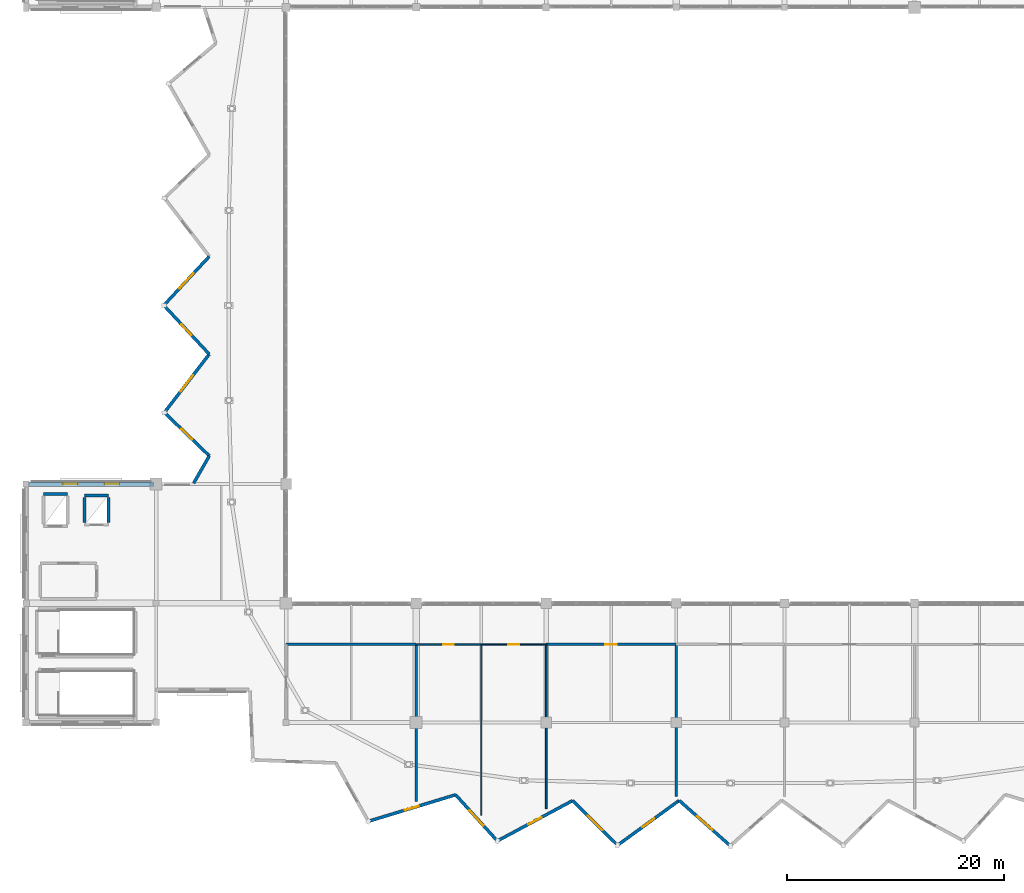
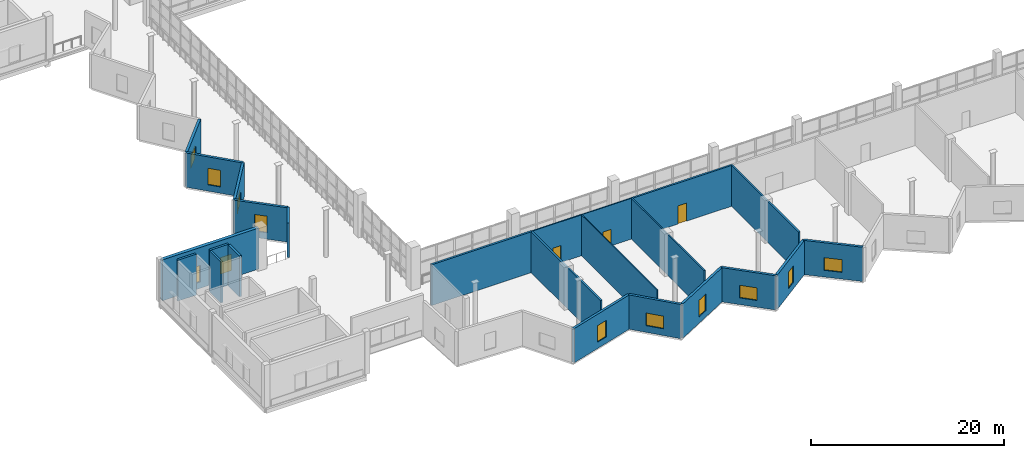
# One storey, part 37 of 49: 24 walls, 12 windows, 3 doors, 15 openings.
"""IFC4 building model written with IfcOpenShell, lengths in metres."""

from ifc_helpers import new_model, si_unit, direction, frame, frame_2d, origin, place, context, subcontext, project, spatial, rectangle, extrude, material, layer, layer_set, type_object, element, fill, save


model = new_model("IFC4")

# Units and contexts
model_context = context("Model", 3, precision=1e-05, world=origin(), true_north=direction((0.0, 1.0)))
body_context = subcontext(model_context, "Body", "Model", "MODEL_VIEW")
ifc_project = project(units=[si_unit("LENGTHUNIT", "METRE"), si_unit("AREAUNIT", "SQUARE_METRE"), si_unit("VOLUMEUNIT", "CUBIC_METRE"), si_unit("PLANEANGLEUNIT", "RADIAN"), si_unit("MASSUNIT", "GRAM", prefix="KILO")], contexts=[model_context])

# Site, building, storey
site_placement = place(None, origin())
site = spatial("IfcSite", under=ifc_project, at=site_placement, CompositionType="ELEMENT")
building_placement = place(site_placement, origin())
building = spatial("IfcBuilding", under=site, at=building_placement, Name="Luwafu Chhajja Arena", CompositionType="ELEMENT")
storey_placement = place(building_placement, frame((0.0, 0.0, 24.300048828125)))
storey = spatial("IfcBuildingStorey", under=building, at=storey_placement, Name="L05", CompositionType="ELEMENT", Elevation=24.300048828125)

# Walls
ifc_material_1 = material(Name="Acoustic gypsum and mineral wool partition")
ifc_layer_1 = layer(ifc_material_1, 0.199951171875, Name="Acoustic gypsum and mineral wool partition")
ifc_layer_set_1 = layer_set([ifc_layer_1], Name="Acoustic gypsum and mineral wool partition")
wall_type_1 = type_object("IfcWallType", Name="Acoustic Broadcast Studio Partition 200", PredefinedType="PARTITIONING", material=ifc_layer_set_1)
wall_1_placement = place(storey_placement, frame((94.0, 4.1845703125, 0.0), z_axis=(0.0, 0.0, 1.0), x_axis=(0.0, 1.0, 0.0)))
element("IfcWall", 1, at=wall_1_placement, inside=storey, type_object=wall_type_1, Name="L05 Internal Partition 0360", PredefinedType="PARTITIONING", context=body_context, shape_type="SweptSolid", body=[
    extrude(rectangle(XDim=14.015380859375, YDim=0.199951171875, at=frame_2d((7.0078125, 0.0))), origin(), (0.0, 0.0, 1.0), 5.179931640625),
])
ifc_material_2 = material(Name="Moisture-resistant masonry blockwork", Category="masonry")
ifc_layer_2 = layer(ifc_material_2, 0.159912109375, Name="Moisture-resistant masonry blockwork")
ifc_layer_set_2 = layer_set([ifc_layer_2], Name="Moisture-resistant masonry blockwork")
wall_type_2 = type_object("IfcWallType", Name="Athlete Wet-Area Partition 160", PredefinedType="PARTITIONING", material=ifc_layer_set_2)
wall_2_placement = place(storey_placement, frame((82.0, 3.015625, 0.0), z_axis=(0.0, 0.0, 1.0), x_axis=(0.0, 1.0, 0.0)))
element("IfcWall", 2, at=wall_2_placement, inside=storey, type_object=wall_type_2, Name="L05 Internal Partition 0359", PredefinedType="PARTITIONING", context=body_context, shape_type="SweptSolid", body=[
    extrude(rectangle(XDim=15.184326171875, YDim=0.159912109375, at=frame_2d((7.59228515625, 0.0))), origin(), (0.0, 0.0, 1.0), 5.179931640625),
])
ifc_material_3 = material(Name="Concrete blockwork masonry", Category="masonry")
ifc_layer_3 = layer(ifc_material_3, 0.239990234375, Name="Concrete blockwork masonry")
ifc_layer_set_3 = layer_set([ifc_layer_3], Name="Concrete blockwork masonry")
wall_type_3 = type_object("IfcWallType", Name="Compartment Masonry Partition 240", PredefinedType="PARTITIONING", material=ifc_layer_set_3)
wall_3_placement = place(storey_placement, frame((58.0, 18.199951171875, 0.0), z_axis=(0.0, 0.0, 1.0), x_axis=(1.0, 0.0, 0.0)))
element("IfcWall", 3, at=wall_3_placement, inside=storey, type_object=wall_type_3, Name="L05 Internal Partition 0342", PredefinedType="PARTITIONING", context=body_context, shape_type="SweptSolid", body=[
    extrude(rectangle(XDim=12.0, YDim=0.239990234375, at=frame_2d((6.0, 0.0))), origin(), (0.0, 0.0, 1.0), 5.179931640625),
])

# Wall, opening, door
ifc_material_4 = material(Name="Lightweight blockwork partition", Category="masonry")
ifc_layer_4 = layer(ifc_material_4, 0.139892578125, Name="Lightweight blockwork partition")
ifc_layer_set_4 = layer_set([ifc_layer_4], Name="Lightweight blockwork partition")
wall_type_4 = type_object("IfcWallType", Name="Concourse Kiosk Partition 140", PredefinedType="PARTITIONING", material=ifc_layer_set_4)
wall_4_placement = place(storey_placement, frame((70.0, 18.199951171875, 0.0), z_axis=(0.0, 0.0, 1.0), x_axis=(1.0, 0.0, 0.0)))
wall_4 = element("IfcWall", 4, at=wall_4_placement, inside=storey, type_object=wall_type_4, Name="L05 Internal Partition 0343", PredefinedType="PARTITIONING", context=body_context, shape_type="SweptSolid", body=[
    extrude(rectangle(XDim=6.0, YDim=0.139892578125, at=frame_2d((3.0, 0.0))), origin(), (0.0, 0.0, 1.0), 5.179931640625),
])
opening_1_placement = place(wall_4_placement, frame((2.52001953125, 0.0, 0.0)))
opening_1 = element("IfcOpeningElement", 5, at=opening_1_placement, cuts=wall_4, Name="Opening DR-22", PredefinedType="OPENING", context=body_context, shape_type="SweptSolid", body=[
    extrude(rectangle(XDim=0.9599609375, YDim=2.14990234375, at=frame_2d((0.47998046875, 1.074951171875))), frame((0.0, 0.079833984375, 0.0), z_axis=(0.0, -1.0, 0.0), x_axis=(1.0, 0.0, 0.0)), (0.0, 0.0, 1.0), 0.159912109375),
])
ifc_material_5 = material(Name="Hardwood flush office door", Category="wood")
door_type_1 = type_object("IfcDoorType", Name="DR-22", OperationType="NOTDEFINED", PredefinedType="DOOR", material=ifc_material_5)
door_1_placement = place(opening_1_placement, origin())
door_1 = element("IfcDoor", 6, at=door_1_placement, inside=storey, type_object=door_type_1, Name="L05 Interior Door L05-D021", OperationType="SINGLE_SWING_LEFT", OverallHeight=2.14990234375, OverallWidth=0.9599609375, PredefinedType="DOOR", context=body_context, shape_type="SweptSolid", body=[
    extrude(rectangle(XDim=0.9599609375, YDim=2.14990234375, at=frame_2d((0.47998046875, 1.074951171875))), frame((0.0, 0.02490234375, 0.0), z_axis=(0.0, -1.0, 0.0), x_axis=(1.0, 0.0, 0.0)), (0.0, 0.0, 1.0), 0.050048828125),
])
fill(opening_1, door_1)

ifc_material_6 = material(Name="Acoustic metal-stud gypsum board")
ifc_layer_5 = layer(ifc_material_6, 0.1201171875, Name="Acoustic metal-stud gypsum board")
ifc_layer_set_5 = layer_set([ifc_layer_5], Name="Acoustic metal-stud gypsum board")
wall_type_5 = type_object("IfcWallType", Name="Internal Room Partition 120", PredefinedType="PARTITIONING", material=ifc_layer_set_5)
wall_5_placement = place(storey_placement, frame((76.0, 18.199951171875, 0.0), z_axis=(0.0, 0.0, 1.0), x_axis=(1.0, 0.0, 0.0)))
wall_5 = element("IfcWall", 7, at=wall_5_placement, inside=storey, type_object=wall_type_5, Name="L05 Internal Partition 0344", PredefinedType="PARTITIONING", context=body_context, shape_type="SweptSolid", body=[
    extrude(rectangle(XDim=6.0, YDim=0.1201171875, at=frame_2d((3.0, 0.0))), origin(), (0.0, 0.0, 1.0), 5.179931640625),
])
opening_2_placement = place(wall_5_placement, frame((2.510009765625, 0.0, 0.0)))
opening_2 = element("IfcOpeningElement", 8, at=opening_2_placement, cuts=wall_5, Name="Opening DR-27", PredefinedType="OPENING", context=body_context, shape_type="SweptSolid", body=[
    extrude(rectangle(XDim=0.97998046875, YDim=2.10009765625, at=frame_2d((0.489990234375, 1.050048828125))), frame((0.0, 0.070068359375, 0.0), z_axis=(0.0, -1.0, 0.0), x_axis=(1.0, 0.0, 0.0)), (0.0, 0.0, 1.0), 0.14013671875),
])
ifc_material_7 = material(Name="Moisture-resistant laminate leaf")
door_type_2 = type_object("IfcDoorType", Name="DR-27", OperationType="NOTDEFINED", PredefinedType="DOOR", material=ifc_material_7)
door_2_placement = place(opening_2_placement, origin())
door_2 = element("IfcDoor", 9, at=door_2_placement, inside=storey, type_object=door_type_2, Name="L05 Interior Door L05-D022", OperationType="SINGLE_SWING_RIGHT", OverallHeight=2.10009765625, OverallWidth=0.97998046875, PredefinedType="DOOR", context=body_context, shape_type="SweptSolid", body=[
    extrude(rectangle(XDim=0.97998046875, YDim=2.10009765625, at=frame_2d((0.489990234375, 1.050048828125))), frame((0.0, 0.02490234375, 0.0), z_axis=(0.0, -1.0, 0.0), x_axis=(1.0, 0.0, 0.0)), (0.0, 0.0, 1.0), 0.050048828125),
])
fill(opening_2, door_2)

# Walls
wall_6_placement = place(storey_placement, frame((76.0, 2.415283203125, 0.0), z_axis=(0.0, 0.0, 1.0), x_axis=(0.0, 1.0, 0.0)))
element("IfcWall", 10, at=wall_6_placement, inside=storey, type_object=wall_type_5, Name="L05 Internal Partition 0358", PredefinedType="PARTITIONING", context=body_context, shape_type="SweptSolid", body=[
    extrude(rectangle(XDim=15.78466796875, YDim=0.1201171875, at=frame_2d((7.892333984375, 0.0))), origin(), (0.0, 0.0, 1.0), 5.179931640625),
])
ifc_material_8 = material(Name="Concrete C35/45", Category="concrete")
ifc_layer_6 = layer(ifc_material_8, 0.260009765625, Name="Concrete C35/45")
ifc_layer_set_6 = layer_set([ifc_layer_6], Name="Concrete C35/45")
wall_type_6 = type_object("IfcWallType", Name="Lift and Riser Shaft Wall 260", PredefinedType="SOLIDWALL", material=ifc_layer_set_6)
wall_7_placement = place(storey_placement, frame((35.590087890625, 32.0849609375, 0.0), z_axis=(0.0, 0.0, 1.0), x_axis=(1.0, 0.0, 0.0)))
element("IfcWall", 11, at=wall_7_placement, inside=storey, type_object=wall_type_6, Name="L05 Lift LF-01 Shaft Wall N", PredefinedType="SOLIDWALL", context=body_context, shape_type="SweptSolid", body=[
    extrude(rectangle(XDim=2.219970703125, YDim=0.260009765625, at=frame_2d((1.10986328125, 0.0))), origin(), (0.0, 0.0, 1.0), 5.179931640625),
])
wall_8_placement = place(storey_placement, frame((39.389892578125, 31.9599609375, 0.0), z_axis=(0.0, 0.0, 1.0), x_axis=(1.0, 0.0, 0.0)))
element("IfcWall", 12, at=wall_8_placement, inside=storey, type_object=wall_type_6, Name="L05 Lift LF-05 Shaft Wall N", PredefinedType="SOLIDWALL", context=body_context, shape_type="SweptSolid", body=[
    extrude(rectangle(XDim=2.22021484375, YDim=0.260009765625, at=frame_2d((1.110107421875, 0.0))), origin(), (0.0, 0.0, 1.0), 5.179931640625),
])
for number, where, z_axis, x_axis, name in (
    (13, (39.389892578125, 29.43994140625, 0.0), (0.0, 0.0, 1.0), (0.0, 1.0, 0.0), "L05 Lift LF-05 Shaft Wall W"),
    (14, (41.610107421875, 29.43994140625, 0.0), (0.0, 0.0, 1.0), (0.0, 1.0, 0.0), "L05 Lift LF-05 Shaft Wall E"),
):
    element("IfcWall", number, at=place(storey_placement, frame(where, z_axis=z_axis, x_axis=x_axis)), inside=storey, type_object=wall_type_6, Name=name, PredefinedType="SOLIDWALL", context=body_context, shape_type="SweptSolid", body=[
        extrude(rectangle(XDim=2.320068359375, YDim=0.260009765625, at=frame_2d((1.16015625, 0.0))), origin(), (0.0, 0.0, 1.0), 5.179931640625),
    ])

# Wall, opening, window
ifc_material_9 = material(Name="Precast concrete C40/50", Category="concrete")
ifc_layer_7 = layer(ifc_material_9, 0.2900390625, Name="Precast concrete C40/50")
ifc_layer_set_7 = layer_set([ifc_layer_7], Name="Precast concrete C40/50")
wall_type_7 = type_object("IfcWallType", Name="Pleated Bowl Upper V-Fold Wall 290", PredefinedType="USERDEFINED", material=ifc_layer_set_7)
wall_9_placement = place(storey_placement, frame((50.8916015625, 54.01171875, 0.0), z_axis=(0.0, 0.0, 1.0), x_axis=(-0.68064266922, -0.732615558692, 0.0)))
wall_9 = element("IfcWall", 15, at=wall_9_placement, inside=storey, type_object=wall_type_7, Name="L05 Pleated Bowl V-Fold Wall 32", ObjectType="PLEATED FACADE WALL", PredefinedType="USERDEFINED", context=body_context, shape_type="SweptSolid", body=[
    extrude(rectangle(XDim=6.158447265625, YDim=0.2900390625, at=frame_2d((3.0791015625, 0.0))), origin(), (0.0, 0.0, 1.0), 4.33984375),
])
opening_3_placement = place(wall_9_placement, frame((2.129150390625, 0.0, 0.85009765625)))
opening_3 = element("IfcOpeningElement", 16, at=opening_3_placement, cuts=wall_9, Name="Opening WN-15", PredefinedType="OPENING", context=body_context, shape_type="SweptSolid", body=[
    extrude(rectangle(XDim=1.89990234375, YDim=1.60009765625, at=frame_2d((0.949951171875, 0.800048828125))), frame((0.0, 0.155029296875, 0.0), z_axis=(0.0, -1.0, 0.0), x_axis=(1.0, 0.0, 0.0)), (0.0, 0.0, 1.0), 0.31005859375),
])
ifc_material_10 = material(Name="Solar-control laminated glass", Category="glass")
window_type_1 = type_object("IfcWindowType", Name="Pleated Drum Inward-Fold Clerestory 1900x1600", PartitioningType="SINGLE_PANEL", PredefinedType="WINDOW", material=ifc_material_10)
window_1_placement = place(opening_3_placement, origin())
window_1 = element("IfcWindow", 17, at=window_1_placement, inside=storey, type_object=window_type_1, Name="L05 Pleated Bowl Lancet Window 156", OverallHeight=1.60009765625, OverallWidth=1.89990234375, PartitioningType="SINGLE_PANEL", PredefinedType="WINDOW", context=body_context, shape_type="SweptSolid", body=[
    extrude(rectangle(XDim=1.89990234375, YDim=1.60009765625, at=frame_2d((0.949951171875, 0.800048828125))), frame((0.0, 0.030029296875, 0.0), z_axis=(0.0, -1.0, 0.0), x_axis=(1.0, 0.0, 0.0)), (0.0, 0.0, 1.0), 0.06005859375),
])
fill(opening_3, window_1)

wall_10_placement = place(storey_placement, frame((46.699951171875, 49.5, 0.0), z_axis=(0.0, 0.0, 1.0), x_axis=(0.68064266922, -0.732615558692, 0.0)))
wall_10 = element("IfcWall", 18, at=wall_10_placement, inside=storey, type_object=wall_type_7, Name="L05 Pleated Bowl V-Fold Wall 33", ObjectType="PLEATED FACADE WALL", PredefinedType="USERDEFINED", context=body_context, shape_type="SweptSolid", body=[
    extrude(rectangle(XDim=6.158447265625, YDim=0.2900390625, at=frame_2d((3.0791015625, 0.0))), origin(), (0.0, 0.0, 1.0), 4.33984375),
])
opening_4_placement = place(wall_10_placement, frame((2.404052734375, 0.0, 0.800048828125)))
opening_4 = element("IfcOpeningElement", 19, at=opening_4_placement, cuts=wall_10, Name="Opening WN-17", PredefinedType="OPENING", context=body_context, shape_type="SweptSolid", body=[
    extrude(rectangle(XDim=1.35009765625, YDim=2.10009765625, at=frame_2d((0.675048828125, 1.050048828125))), frame((0.0, 0.155029296875, 0.0), z_axis=(0.0, -1.0, 0.0), x_axis=(1.0, 0.0, 0.0)), (0.0, 0.0, 1.0), 0.31005859375),
])
window_type_2 = type_object("IfcWindowType", Name="Exhibition Mezzanine Lancet Window 1350x2100", PartitioningType="SINGLE_PANEL", PredefinedType="WINDOW", material=ifc_material_10)
window_2_placement = place(opening_4_placement, origin())
window_2 = element("IfcWindow", 20, at=window_2_placement, inside=storey, type_object=window_type_2, Name="L05 Pleated Bowl Lancet Window 157", OverallHeight=2.10009765625, OverallWidth=1.35009765625, PartitioningType="SINGLE_PANEL", PredefinedType="WINDOW", context=body_context, shape_type="SweptSolid", body=[
    extrude(rectangle(XDim=1.35009765625, YDim=2.10009765625, at=frame_2d((0.675048828125, 1.050048828125))), frame((0.0, 0.030029296875, 0.0), z_axis=(0.0, -1.0, 0.0), x_axis=(1.0, 0.0, 0.0)), (0.0, 0.0, 1.0), 0.06005859375),
])
fill(opening_4, window_2)

wall_11_placement = place(storey_placement, frame((50.8916015625, 44.98828125, 0.0), z_axis=(0.0, 0.0, 1.0), x_axis=(-0.609656915655, -0.792665405575, 0.0)))
wall_11 = element("IfcWall", 21, at=wall_11_placement, inside=storey, type_object=wall_type_7, Name="L05 Pleated Bowl V-Fold Wall 34", ObjectType="PLEATED FACADE WALL", PredefinedType="USERDEFINED", context=body_context, shape_type="SweptSolid", body=[
    extrude(rectangle(XDim=6.79296875, YDim=0.2900390625, at=frame_2d((3.396484375, 0.0))), origin(), (0.0, 0.0, 1.0), 4.33984375),
])
opening_5_placement = place(wall_11_placement, frame((2.4462890625, 0.0, 0.85009765625)))
opening_5 = element("IfcOpeningElement", 22, at=opening_5_placement, cuts=wall_11, Name="Opening WN-15", PredefinedType="OPENING", context=body_context, shape_type="SweptSolid", body=[
    extrude(rectangle(XDim=1.89990234375, YDim=1.60009765625, at=frame_2d((0.949951171875, 0.800048828125))), frame((0.0, 0.155029296875, 0.0), z_axis=(0.0, -1.0, 0.0), x_axis=(1.0, 0.0, 0.0)), (0.0, 0.0, 1.0), 0.31005859375),
])
window_3_placement = place(opening_5_placement, origin())
window_3 = element("IfcWindow", 23, at=window_3_placement, inside=storey, type_object=window_type_1, Name="L05 Pleated Bowl Lancet Window 158", OverallHeight=1.60009765625, OverallWidth=1.89990234375, PartitioningType="SINGLE_PANEL", PredefinedType="WINDOW", context=body_context, shape_type="SweptSolid", body=[
    extrude(rectangle(XDim=1.89990234375, YDim=1.60009765625, at=frame_2d((0.949951171875, 0.800048828125))), frame((0.0, 0.030029296875, 0.0), z_axis=(0.0, -1.0, 0.0), x_axis=(1.0, 0.0, 0.0)), (0.0, 0.0, 1.0), 0.06005859375),
])
fill(opening_5, window_3)

wall_12_placement = place(storey_placement, frame((46.750244140625, 39.603759765625, 0.0), z_axis=(0.0, 0.0, 1.0), x_axis=(0.719894969607, -0.694083015737, 0.0)))
wall_12 = element("IfcWall", 24, at=wall_12_placement, inside=storey, type_object=wall_type_7, Name="L05 Pleated Bowl V-Fold Wall 35", ObjectType="PLEATED FACADE WALL", PredefinedType="USERDEFINED", context=body_context, shape_type="SweptSolid", body=[
    extrude(rectangle(XDim=5.76025390625, YDim=0.2900390625, at=frame_2d((2.880126953125, 0.0))), origin(), (0.0, 0.0, 1.0), 4.33984375),
])
opening_6_placement = place(wall_12_placement, frame((2.205078125, 0.0, 0.800048828125)))
opening_6 = element("IfcOpeningElement", 25, at=opening_6_placement, cuts=wall_12, Name="Opening WN-17", PredefinedType="OPENING", context=body_context, shape_type="SweptSolid", body=[
    extrude(rectangle(XDim=1.35009765625, YDim=2.10009765625, at=frame_2d((0.675048828125, 1.050048828125))), frame((0.0, 0.155029296875, 0.0), z_axis=(0.0, -1.0, 0.0), x_axis=(1.0, 0.0, 0.0)), (0.0, 0.0, 1.0), 0.31005859375),
])
window_4_placement = place(opening_6_placement, origin())
window_4 = element("IfcWindow", 26, at=window_4_placement, inside=storey, type_object=window_type_2, Name="L05 Pleated Bowl Lancet Window 159", OverallHeight=2.10009765625, OverallWidth=1.35009765625, PartitioningType="SINGLE_PANEL", PredefinedType="WINDOW", context=body_context, shape_type="SweptSolid", body=[
    extrude(rectangle(XDim=1.35009765625, YDim=2.10009765625, at=frame_2d((0.675048828125, 1.050048828125))), frame((0.0, 0.030029296875, 0.0), z_axis=(0.0, -1.0, 0.0), x_axis=(1.0, 0.0, 0.0)), (0.0, 0.0, 1.0), 0.06005859375),
])
fill(opening_6, window_4)

# Wall
wall_13_placement = place(storey_placement, frame((50.89697265625, 35.605712890625, 0.0), z_axis=(0.0, 0.0, 1.0), x_axis=(-0.497249451908, -0.86760762017, 0.0)))
element("IfcWall", 27, at=wall_13_placement, inside=storey, type_object=wall_type_7, Name="L05 Pleated Bowl V-Fold Wall 36", ObjectType="PLEATED FACADE WALL", PredefinedType="USERDEFINED", context=body_context, shape_type="SweptSolid", body=[
    extrude(rectangle(XDim=2.9111328125, YDim=0.2900390625, at=frame_2d((1.45556640625, 0.0))), origin(), (0.0, 0.0, 1.0), 4.33984375),
])

# Wall, opening, window
wall_14_placement = place(storey_placement, frame((65.572509765625, 1.864013671875, 0.0), z_axis=(0.0, 0.0, 1.0), x_axis=(0.956738407321, 0.290949514446, 0.0)))
wall_14 = element("IfcWall", 28, at=wall_14_placement, inside=storey, type_object=wall_type_7, Name="L05 Pleated Bowl V-Fold Wall 43", ObjectType="PLEATED FACADE WALL", PredefinedType="USERDEFINED", context=body_context, shape_type="SweptSolid", body=[
    extrude(rectangle(XDim=8.427978515625, YDim=0.2900390625, at=frame_2d((4.2138671875, 0.0))), origin(), (0.0, 0.0, 1.0), 4.33984375),
])
opening_7_placement = place(wall_14_placement, frame((3.5390625, 0.0, 0.800048828125)))
opening_7 = element("IfcOpeningElement", 29, at=opening_7_placement, cuts=wall_14, Name="Opening WN-17", PredefinedType="OPENING", context=body_context, shape_type="SweptSolid", body=[
    extrude(rectangle(XDim=1.35009765625, YDim=2.10009765625, at=frame_2d((0.675048828125, 1.050048828125))), frame((0.0, 0.155029296875, 0.0), z_axis=(0.0, -1.0, 0.0), x_axis=(1.0, 0.0, 0.0)), (0.0, 0.0, 1.0), 0.31005859375),
])
window_5_placement = place(opening_7_placement, origin())
window_5 = element("IfcWindow", 30, at=window_5_placement, inside=storey, type_object=window_type_2, Name="L05 Pleated Bowl Lancet Window 163", OverallHeight=2.10009765625, OverallWidth=1.35009765625, PartitioningType="SINGLE_PANEL", PredefinedType="WINDOW", context=body_context, shape_type="SweptSolid", body=[
    extrude(rectangle(XDim=1.35009765625, YDim=2.10009765625, at=frame_2d((0.675048828125, 1.050048828125))), frame((0.0, 0.030029296875, 0.0), z_axis=(0.0, -1.0, 0.0), x_axis=(1.0, 0.0, 0.0)), (0.0, 0.0, 1.0), 0.06005859375),
])
fill(opening_7, window_5)

wall_15_placement = place(storey_placement, frame((73.635986328125, 4.316162109375, 0.0), z_axis=(0.0, 0.0, 1.0), x_axis=(0.670348131104, -0.742046752654, 0.0)))
wall_15 = element("IfcWall", 31, at=wall_15_placement, inside=storey, type_object=wall_type_7, Name="L05 Pleated Bowl V-Fold Wall 44", ObjectType="PLEATED FACADE WALL", PredefinedType="USERDEFINED", context=body_context, shape_type="SweptSolid", body=[
    extrude(rectangle(XDim=5.747802734375, YDim=0.2900390625, at=frame_2d((2.8740234375, 0.0))), origin(), (0.0, 0.0, 1.0), 4.33984375),
])
opening_8_placement = place(wall_15_placement, frame((1.923828125, 0.0, 0.85009765625)))
opening_8 = element("IfcOpeningElement", 32, at=opening_8_placement, cuts=wall_15, Name="Opening WN-15", PredefinedType="OPENING", context=body_context, shape_type="SweptSolid", body=[
    extrude(rectangle(XDim=1.89990234375, YDim=1.60009765625, at=frame_2d((0.949951171875, 0.800048828125))), frame((0.0, 0.155029296875, 0.0), z_axis=(0.0, -1.0, 0.0), x_axis=(1.0, 0.0, 0.0)), (0.0, 0.0, 1.0), 0.31005859375),
])
window_6_placement = place(opening_8_placement, origin())
window_6 = element("IfcWindow", 33, at=window_6_placement, inside=storey, type_object=window_type_1, Name="L05 Pleated Bowl Lancet Window 164", OverallHeight=1.60009765625, OverallWidth=1.89990234375, PartitioningType="SINGLE_PANEL", PredefinedType="WINDOW", context=body_context, shape_type="SweptSolid", body=[
    extrude(rectangle(XDim=1.89990234375, YDim=1.60009765625, at=frame_2d((0.949951171875, 0.800048828125))), frame((0.0, 0.030029296875, 0.0), z_axis=(0.0, -1.0, 0.0), x_axis=(1.0, 0.0, 0.0)), (0.0, 0.0, 1.0), 0.06005859375),
])
fill(opening_8, window_6)

wall_16_placement = place(storey_placement, frame((77.489013671875, 0.051025390625, 0.0), z_axis=(0.0, 0.0, 1.0), x_axis=(0.881201188687, 0.472741435731, 0.0)))
wall_16 = element("IfcWall", 34, at=wall_16_placement, inside=storey, type_object=wall_type_7, Name="L05 Pleated Bowl V-Fold Wall 45", ObjectType="PLEATED FACADE WALL", PredefinedType="USERDEFINED", context=body_context, shape_type="SweptSolid", body=[
    extrude(rectangle(XDim=7.880859375, YDim=0.2900390625, at=frame_2d((3.9404296875, 0.0))), origin(), (0.0, 0.0, 1.0), 4.33984375),
])
opening_9_placement = place(wall_16_placement, frame((3.265380859375, 0.0, 0.800048828125)))
opening_9 = element("IfcOpeningElement", 35, at=opening_9_placement, cuts=wall_16, Name="Opening WN-17", PredefinedType="OPENING", context=body_context, shape_type="SweptSolid", body=[
    extrude(rectangle(XDim=1.35009765625, YDim=2.10009765625, at=frame_2d((0.675048828125, 1.050048828125))), frame((0.0, 0.155029296875, 0.0), z_axis=(0.0, -1.0, 0.0), x_axis=(1.0, 0.0, 0.0)), (0.0, 0.0, 1.0), 0.31005859375),
])
window_7_placement = place(opening_9_placement, origin())
window_7 = element("IfcWindow", 36, at=window_7_placement, inside=storey, type_object=window_type_2, Name="L05 Pleated Bowl Lancet Window 165", OverallHeight=2.10009765625, OverallWidth=1.35009765625, PartitioningType="SINGLE_PANEL", PredefinedType="WINDOW", context=body_context, shape_type="SweptSolid", body=[
    extrude(rectangle(XDim=1.35009765625, YDim=2.10009765625, at=frame_2d((0.675048828125, 1.050048828125))), frame((0.0, 0.030029296875, 0.0), z_axis=(0.0, -1.0, 0.0), x_axis=(1.0, 0.0, 0.0)), (0.0, 0.0, 1.0), 0.06005859375),
])
fill(opening_9, window_7)

wall_17_placement = place(storey_placement, frame((84.43359375, 3.776611328125, 0.0), z_axis=(0.0, 0.0, 1.0), x_axis=(0.710084208502, -0.704116763638, 0.0)))
wall_17 = element("IfcWall", 37, at=wall_17_placement, inside=storey, type_object=wall_type_7, Name="L05 Pleated Bowl V-Fold Wall 46", ObjectType="PLEATED FACADE WALL", PredefinedType="USERDEFINED", context=body_context, shape_type="SweptSolid", body=[
    extrude(rectangle(XDim=5.850341796875, YDim=0.2900390625, at=frame_2d((2.92529296875, 0.0))), origin(), (0.0, 0.0, 1.0), 4.33984375),
])
opening_10_placement = place(wall_17_placement, frame((1.97509765625, 0.0, 0.85009765625)))
opening_10 = element("IfcOpeningElement", 38, at=opening_10_placement, cuts=wall_17, Name="Opening WN-15", PredefinedType="OPENING", context=body_context, shape_type="SweptSolid", body=[
    extrude(rectangle(XDim=1.89990234375, YDim=1.60009765625, at=frame_2d((0.949951171875, 0.800048828125))), frame((0.0, 0.155029296875, 0.0), z_axis=(0.0, -1.0, 0.0), x_axis=(1.0, 0.0, 0.0)), (0.0, 0.0, 1.0), 0.31005859375),
])
window_8_placement = place(opening_10_placement, origin())
window_8 = element("IfcWindow", 39, at=window_8_placement, inside=storey, type_object=window_type_1, Name="L05 Pleated Bowl Lancet Window 166", OverallHeight=1.60009765625, OverallWidth=1.89990234375, PartitioningType="SINGLE_PANEL", PredefinedType="WINDOW", context=body_context, shape_type="SweptSolid", body=[
    extrude(rectangle(XDim=1.89990234375, YDim=1.60009765625, at=frame_2d((0.949951171875, 0.800048828125))), frame((0.0, 0.030029296875, 0.0), z_axis=(0.0, -1.0, 0.0), x_axis=(1.0, 0.0, 0.0)), (0.0, 0.0, 1.0), 0.06005859375),
])
fill(opening_10, window_8)

wall_18_placement = place(storey_placement, frame((88.587890625, -0.3427734375, 0.0), z_axis=(0.0, 0.0, 1.0), x_axis=(0.808841233488, 0.588027090371, 0.0)))
wall_18 = element("IfcWall", 40, at=wall_18_placement, inside=storey, type_object=wall_type_7, Name="L05 Pleated Bowl V-Fold Wall 47", ObjectType="PLEATED FACADE WALL", PredefinedType="USERDEFINED", context=body_context, shape_type="SweptSolid", body=[
    extrude(rectangle(XDim=7.02734375, YDim=0.2900390625, at=frame_2d((3.513671875, 0.0))), origin(), (0.0, 0.0, 1.0), 4.33984375),
])
opening_11_placement = place(wall_18_placement, frame((2.838623046875, 0.0, 0.800048828125)))
opening_11 = element("IfcOpeningElement", 41, at=opening_11_placement, cuts=wall_18, Name="Opening WN-17", PredefinedType="OPENING", context=body_context, shape_type="SweptSolid", body=[
    extrude(rectangle(XDim=1.35009765625, YDim=2.10009765625, at=frame_2d((0.675048828125, 1.050048828125))), frame((0.0, 0.155029296875, 0.0), z_axis=(0.0, -1.0, 0.0), x_axis=(1.0, 0.0, 0.0)), (0.0, 0.0, 1.0), 0.31005859375),
])
window_9_placement = place(opening_11_placement, origin())
window_9 = element("IfcWindow", 42, at=window_9_placement, inside=storey, type_object=window_type_2, Name="L05 Pleated Bowl Lancet Window 167", OverallHeight=2.10009765625, OverallWidth=1.35009765625, PartitioningType="SINGLE_PANEL", PredefinedType="WINDOW", context=body_context, shape_type="SweptSolid", body=[
    extrude(rectangle(XDim=1.35009765625, YDim=2.10009765625, at=frame_2d((0.675048828125, 1.050048828125))), frame((0.0, 0.030029296875, 0.0), z_axis=(0.0, -1.0, 0.0), x_axis=(1.0, 0.0, 0.0)), (0.0, 0.0, 1.0), 0.06005859375),
])
fill(opening_11, window_9)

wall_19_placement = place(storey_placement, frame((94.27197265625, 3.78955078125, 0.0), z_axis=(0.0, 0.0, 1.0), x_axis=(0.74844895461, -0.663192402205, 0.0)))
wall_19 = element("IfcWall", 43, at=wall_19_placement, inside=storey, type_object=wall_type_7, Name="L05 Pleated Bowl V-Fold Wall 48", ObjectType="PLEATED FACADE WALL", PredefinedType="USERDEFINED", context=body_context, shape_type="SweptSolid", body=[
    extrude(rectangle(XDim=6.317138671875, YDim=0.2900390625, at=frame_2d((3.15869140625, 0.0))), origin(), (0.0, 0.0, 1.0), 4.33984375),
])
opening_12_placement = place(wall_19_placement, frame((2.20849609375, 0.0, 0.85009765625)))
opening_12 = element("IfcOpeningElement", 44, at=opening_12_placement, cuts=wall_19, Name="Opening WN-15", PredefinedType="OPENING", context=body_context, shape_type="SweptSolid", body=[
    extrude(rectangle(XDim=1.89990234375, YDim=1.60009765625, at=frame_2d((0.949951171875, 0.800048828125))), frame((0.0, 0.155029296875, 0.0), z_axis=(0.0, -1.0, 0.0), x_axis=(1.0, 0.0, 0.0)), (0.0, 0.0, 1.0), 0.31005859375),
])
window_10_placement = place(opening_12_placement, origin())
window_10 = element("IfcWindow", 45, at=window_10_placement, inside=storey, type_object=window_type_1, Name="L05 Pleated Bowl Lancet Window 168", OverallHeight=1.60009765625, OverallWidth=1.89990234375, PartitioningType="SINGLE_PANEL", PredefinedType="WINDOW", context=body_context, shape_type="SweptSolid", body=[
    extrude(rectangle(XDim=1.89990234375, YDim=1.60009765625, at=frame_2d((0.949951171875, 0.800048828125))), frame((0.0, 0.030029296875, 0.0), z_axis=(0.0, -1.0, 0.0), x_axis=(1.0, 0.0, 0.0)), (0.0, 0.0, 1.0), 0.06005859375),
])
fill(opening_12, window_10)

# Wall, opening, door
ifc_layer_8 = layer(ifc_material_3, 0.219970703125, Name="Concrete blockwork masonry")
ifc_layer_set_8 = layer_set([ifc_layer_8], Name="Concrete blockwork masonry")
wall_type_8 = type_object("IfcWallType", Name="Protected Corridor Partition 220", PredefinedType="PARTITIONING", material=ifc_layer_set_8)
wall_20_placement = place(storey_placement, frame((82.0, 18.199951171875, 0.0), z_axis=(0.0, 0.0, 1.0), x_axis=(1.0, 0.0, 0.0)))
wall_20 = element("IfcWall", 46, at=wall_20_placement, inside=storey, type_object=wall_type_8, Name="L05 Internal Partition 0345", PredefinedType="PARTITIONING", context=body_context, shape_type="SweptSolid", body=[
    extrude(rectangle(XDim=12.0, YDim=0.219970703125, at=frame_2d((6.0, 0.0))), origin(), (0.0, 0.0, 1.0), 5.179931640625),
])
opening_13_placement = place(wall_20_placement, frame((5.469970703125, 0.0, 0.0)))
opening_13 = element("IfcOpeningElement", 47, at=opening_13_placement, cuts=wall_20, Name="Opening DR-14", PredefinedType="OPENING", context=body_context, shape_type="SweptSolid", body=[
    extrude(rectangle(XDim=1.06005859375, YDim=2.300048828125, at=frame_2d((0.530029296875, 1.14990234375))), frame((0.0, 0.119873046875, 0.0), z_axis=(0.0, -1.0, 0.0), x_axis=(1.0, 0.0, 0.0)), (0.0, 0.0, 1.0), 0.239990234375),
])
ifc_material_11 = material(Name="Veneered hardwood acoustic leaf", Category="wood")
door_type_3 = type_object("IfcDoorType", Name="DR-14", OperationType="NOTDEFINED", PredefinedType="DOOR", material=ifc_material_11)
door_3_placement = place(opening_13_placement, origin())
door_3 = element("IfcDoor", 48, at=door_3_placement, inside=storey, type_object=door_type_3, Name="L05 Interior Door L05-D023", OperationType="SINGLE_SWING_LEFT", OverallHeight=2.300048828125, OverallWidth=1.06005859375, PredefinedType="DOOR", context=body_context, shape_type="SweptSolid", body=[
    extrude(rectangle(XDim=1.06005859375, YDim=2.300048828125, at=frame_2d((0.530029296875, 1.14990234375))), frame((0.0, 0.02490234375, 0.0), z_axis=(0.0, -1.0, 0.0), x_axis=(1.0, 0.0, 0.0)), (0.0, 0.0, 1.0), 0.050048828125),
])
fill(opening_13, door_3)

# Wall
wall_21_placement = place(storey_placement, frame((70.0, 3.712158203125, 0.0), z_axis=(0.0, 0.0, 1.0), x_axis=(0.0, 1.0, 0.0)))
element("IfcWall", 49, at=wall_21_placement, inside=storey, type_object=wall_type_8, Name="L05 Internal Partition 0357", PredefinedType="PARTITIONING", context=body_context, shape_type="SweptSolid", body=[
    extrude(rectangle(XDim=14.48779296875, YDim=0.219970703125, at=frame_2d((7.243896484375, 0.0))), origin(), (0.0, 0.0, 1.0), 5.179931640625),
])

# Wall, openings, windows
ifc_material_12 = material(Name="Concrete C40/50", Category="concrete")
ifc_layer_9 = layer(ifc_material_12, 0.39990234375, Name="Concrete C40/50")
ifc_layer_set_9 = layer_set([ifc_layer_9], Name="Concrete C40/50")
wall_type_9 = type_object("IfcWallType", Name="RC Core Shear Wall 400", PredefinedType="SOLIDWALL", material=ifc_layer_set_9)
wall_22_placement = place(storey_placement, frame((34.219970703125, 33.0, 0.0), z_axis=(0.0, 0.0, 1.0), x_axis=(1.0, 0.0, 0.0)))
wall_22 = element("IfcWall", 50, at=wall_22_placement, inside=storey, type_object=wall_type_9, Name="L05 Exterior Wall WEX-L05-234", PredefinedType="SOLIDWALL", context=body_context, shape_type="SweptSolid", body=[
    extrude(rectangle(XDim=11.56005859375, YDim=0.39990234375, at=frame_2d((5.780029296875, 0.0))), origin(), (0.0, 0.0, 1.0), 5.18505859375),
])
opening_14_placement = place(wall_22_placement, frame((3.17822265625, 0.0, 0.800048828125)))
opening_14 = element("IfcOpeningElement", 51, at=opening_14_placement, cuts=wall_22, Name="Opening WN-17", PredefinedType="OPENING", context=body_context, shape_type="SweptSolid", body=[
    extrude(rectangle(XDim=1.35009765625, YDim=2.10009765625, at=frame_2d((0.675048828125, 1.050048828125))), frame((0.0, 0.2099609375, 0.0), z_axis=(0.0, -1.0, 0.0), x_axis=(1.0, 0.0, 0.0)), (0.0, 0.0, 1.0), 0.419921875),
])
opening_15_placement = place(wall_22_placement, frame((7.03173828125, 0.0, 0.800048828125)))
opening_15 = element("IfcOpeningElement", 52, at=opening_15_placement, cuts=wall_22, Name="Opening WN-17", PredefinedType="OPENING", context=body_context, shape_type="SweptSolid", body=[
    extrude(rectangle(XDim=1.35009765625, YDim=2.10009765625, at=frame_2d((0.675048828125, 1.050048828125))), frame((0.0, 0.2099609375, 0.0), z_axis=(0.0, -1.0, 0.0), x_axis=(1.0, 0.0, 0.0)), (0.0, 0.0, 1.0), 0.419921875),
])
window_11_placement = place(opening_14_placement, origin())
window_11 = element("IfcWindow", 53, at=window_11_placement, inside=storey, type_object=window_type_2, Name="L05 Facade Window 214", OverallHeight=2.10009765625, OverallWidth=1.35009765625, PartitioningType="SINGLE_PANEL", PredefinedType="WINDOW", context=body_context, shape_type="SweptSolid", body=[
    extrude(rectangle(XDim=1.35009765625, YDim=2.10009765625, at=frame_2d((0.675048828125, 1.050048828125))), frame((0.0, 0.030029296875, 0.0), z_axis=(0.0, -1.0, 0.0), x_axis=(1.0, 0.0, 0.0)), (0.0, 0.0, 1.0), 0.06005859375),
])
fill(opening_14, window_11)
window_12_placement = place(opening_15_placement, origin())
window_12 = element("IfcWindow", 54, at=window_12_placement, inside=storey, type_object=window_type_2, Name="L05 Facade Window 215", OverallHeight=2.10009765625, OverallWidth=1.35009765625, PartitioningType="SINGLE_PANEL", PredefinedType="WINDOW", context=body_context, shape_type="SweptSolid", body=[
    extrude(rectangle(XDim=1.35009765625, YDim=2.10009765625, at=frame_2d((0.675048828125, 1.050048828125))), frame((0.0, 0.030029296875, 0.0), z_axis=(0.0, -1.0, 0.0), x_axis=(1.0, 0.0, 0.0)), (0.0, 0.0, 1.0), 0.06005859375),
])
fill(opening_15, window_12)

save(model, "model.ifc")
